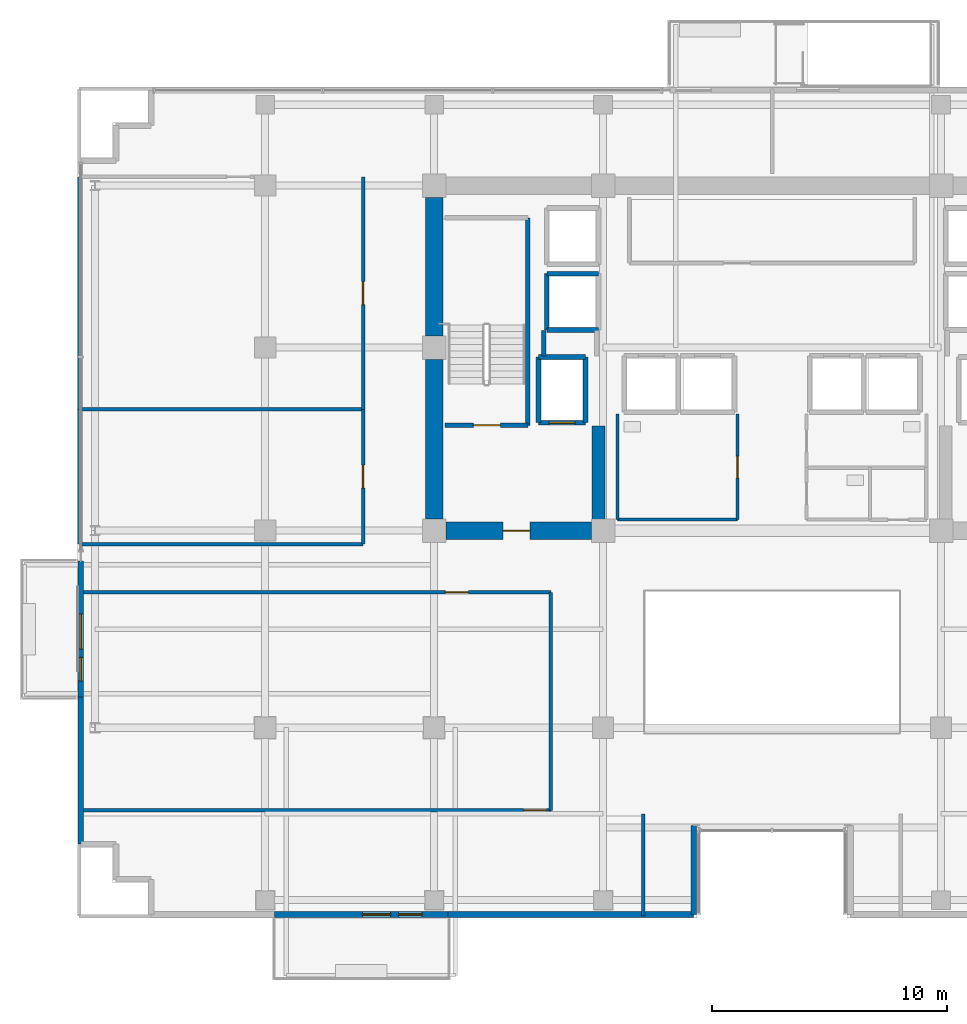
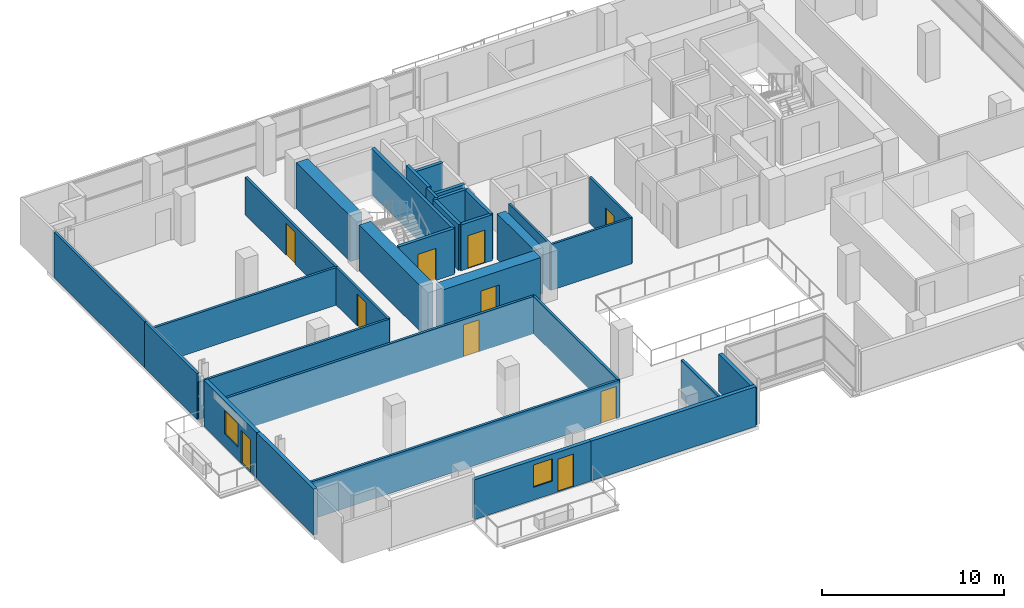
# One storey, part 20 of 28: 32 walls, 10 doors, 2 windows, 12 openings.
"""IFC4 building model written with IfcOpenShell, lengths in metres."""

from ifc_helpers import new_model, si_unit, direction, frame, frame_2d, origin, place, context, subcontext, project, spatial, rectangle, extrude, source, transform, mapped, material, layer, layer_set, type_object, element, fill, save


model = new_model("IFC4")

# Units and contexts
model_context = context("Model", 3, precision=1e-05, world=origin(), true_north=direction((0.0, 1.0)))
body_context = subcontext(model_context, "Body", "Model", "MODEL_VIEW")
ifc_project = project(units=[si_unit("LENGTHUNIT", "METRE"), si_unit("AREAUNIT", "SQUARE_METRE"), si_unit("VOLUMEUNIT", "CUBIC_METRE"), si_unit("PLANEANGLEUNIT", "RADIAN"), si_unit("MASSUNIT", "GRAM", prefix="KILO")], contexts=[model_context])

# Site, building, storey
site_placement = place(None, origin())
site = spatial("IfcSite", under=ifc_project, at=site_placement, CompositionType="ELEMENT")
building_placement = place(site_placement, origin())
building = spatial("IfcBuilding", under=site, at=building_placement, Name="Zarnakvel Exchange Tower", CompositionType="ELEMENT")
storey_placement = place(building_placement, frame((0.0, 0.0, 90.10009765625)))
storey = spatial("IfcBuildingStorey", under=building, at=storey_placement, Name="L24", CompositionType="ELEMENT", Elevation=90.10009765625)

# Walls
ifc_material_1 = material(Name="Concrete C60/75", Category="concrete")
ifc_layer_1 = layer(ifc_material_1, 0.75)
ifc_layer_set_1 = layer_set([ifc_layer_1], Name="Concrete C60/75")
wall_type_1 = type_object("IfcWallType", Name="CW-C3", PredefinedType="SHEAR", material=ifc_layer_set_1)
wall_1_placement = place(storey_placement, frame((-14.39990234375, -0.699951171875, 0.0), z_axis=(0.0, 0.0, 1.0), x_axis=(0.0, 1.0, 0.0)))
element("IfcWall", 1, at=wall_1_placement, inside=storey, type_object=wall_type_1, Name="L24 Rear Core Shear Wall W1 (CW-C3)", PredefinedType="SHEAR", context=body_context, shape_type="SweptSolid", body=[
    extrude(rectangle(XDim=6.800048828125, YDim=0.75, at=frame_2d((3.39990234375, 0.0))), origin(), (0.0, 0.0, 1.0), 3.074951171875),
])
wall_2_placement = place(storey_placement, frame((-14.39990234375, 7.10009765625, 0.0), z_axis=(0.0, 0.0, 1.0), x_axis=(0.0, 1.0, 0.0)))
element("IfcWall", 2, at=wall_2_placement, inside=storey, type_object=wall_type_1, Name="L24 Rear Core Shear Wall W2 (CW-C3)", PredefinedType="SHEAR", context=body_context, shape_type="SweptSolid", body=[
    extrude(rectangle(XDim=5.89990234375, YDim=0.75, at=frame_2d((2.949951171875, 0.0))), origin(), (0.0, 0.0, 1.0), 3.074951171875),
])

# Wall, opening, door
wall_3_placement = place(storey_placement, frame((-7.699951171875, -1.199951171875, 0.0), z_axis=(0.0, 0.0, 1.0), x_axis=(-1.0, 0.0, 0.0)))
wall_3 = element("IfcWall", 3, at=wall_3_placement, inside=storey, type_object=wall_type_1, Name="L24 Rear Core Shear Wall SW (CW-C3)", PredefinedType="SHEAR", context=body_context, shape_type="SweptSolid", body=[
    extrude(rectangle(XDim=6.199951171875, YDim=0.75, at=frame_2d((3.10009765625, 0.0))), origin(), (0.0, 0.0, 1.0), 3.074951171875),
])
opening_1_placement = place(wall_3_placement, frame((2.625, 0.0, 0.0)))
opening_1 = element("IfcOpeningElement", 4, at=opening_1_placement, cuts=wall_3, Name="Opening D-L24-03", PredefinedType="OPENING", context=body_context, shape_type="SweptSolid", body=[
    extrude(rectangle(XDim=1.14990234375, YDim=2.14990234375, at=frame_2d((0.574951171875, 1.074951171875))), frame((0.0, 0.385009765625, 0.0), z_axis=(0.0, -1.0, 0.0), x_axis=(1.0, 0.0, 0.0)), (0.0, 0.0, 1.0), 0.77001953125),
])
ifc_material_2 = material(Name="Painted Galvanised Steel S355", Category="steel")
door_type_1 = type_object("IfcDoorType", Name="DT-04", OperationType="NOTDEFINED", PredefinedType="DOOR", material=ifc_material_2)
shared_shape_1 = source(origin(), body_context, "Body", "SweptSolid", [
    extrude(rectangle(XDim=1.14990234375, YDim=2.14990234375, at=frame_2d((0.574951171875, 1.074951171875))), frame((0.0, 0.02490234375, 0.0), z_axis=(0.0, -1.0, 0.0), x_axis=(1.0, 0.0, 0.0)), (0.0, 0.0, 1.0), 0.050048828125),
])
door_1_placement = place(opening_1_placement, origin())
door_1 = element("IfcDoor", 5, at=door_1_placement, inside=storey, type_object=door_type_1, Name="L24 Firefighting Lobby West Door D-L24-03", OperationType="SINGLE_SWING_LEFT", OverallHeight=2.14990234375, OverallWidth=1.14990234375, PredefinedType="DOOR", context=body_context, shape_type="MappedRepresentation", body=[
    mapped(shared_shape_1, transform((0.0, 0.0, 0.0), x_axis=(1.0, 0.0, 0.0), y_axis=(0.0, 1.0, 0.0), z_axis=(0.0, 0.0, 1.0), scale=1.0)),
])
fill(opening_1, door_1)

# Wall
ifc_layer_2 = layer(ifc_material_1, 0.550048828125)
ifc_layer_set_2 = layer_set([ifc_layer_2], Name="Concrete C60/75")
wall_type_2 = type_object("IfcWallType", Name="CW-C4", PredefinedType="SHEAR", material=ifc_layer_set_2)
wall_4_placement = place(storey_placement, frame((-7.39990234375, -0.824951171875, 0.0), z_axis=(0.0, 0.0, 1.0), x_axis=(0.0, 1.0, 0.0)))
element("IfcWall", 6, at=wall_4_placement, inside=storey, type_object=wall_type_2, Name="L24 Rear Core Shear Wall IW (CW-C4)", PredefinedType="SHEAR", context=body_context, shape_type="SweptSolid", body=[
    extrude(rectangle(XDim=4.074951171875, YDim=0.550048828125, at=frame_2d((2.03759765625, 0.0))), origin(), (0.0, 0.0, 1.0), 3.074951171875),
])

# Wall, openings, door, window
ifc_material_3 = material(Name="Precast concrete C40/50", Category="concrete")
ifc_layer_3 = layer(ifc_material_3, 0.239990234375)
ifc_layer_set_3 = layer_set([ifc_layer_3], Name="Precast concrete C40/50")
wall_type_3 = type_object("IfcWallType", Name="EW-02", PredefinedType="SOLIDWALL", material=ifc_layer_set_3)
wall_5_placement = place(storey_placement, frame((-13.800048828125, -17.56005859375, 0.0), z_axis=(0.0, 0.0, 1.0), x_axis=(-1.0, 0.0, 0.0)))
wall_5 = element("IfcWall", 7, at=wall_5_placement, inside=storey, type_object=wall_type_3, Name="L24 Exterior Precast Spandrel Wall EW-BAL-L24-SW (EW-02)", PredefinedType="SOLIDWALL", context=body_context, shape_type="SweptSolid", body=[
    extrude(rectangle(XDim=7.39990234375, YDim=0.239990234375, at=frame_2d((3.699951171875, 0.0))), origin(), (0.0, 0.0, 1.0), 2.664794921875),
])
opening_2_placement = place(wall_5_placement, frame((1.110107421875, 0.0, 0.0)))
opening_2 = element("IfcOpeningElement", 8, at=opening_2_placement, cuts=wall_5, Name="Opening BD-L24-01", PredefinedType="OPENING", context=body_context, shape_type="SweptSolid", body=[
    extrude(rectangle(XDim=1.0, YDim=2.199951171875, at=frame_2d((0.5, 1.10009765625))), frame((0.0, 0.1298828125, 0.0), z_axis=(0.0, -1.0, 0.0), x_axis=(1.0, 0.0, 0.0)), (0.0, 0.0, 1.0), 0.260009765625),
])
opening_3_placement = place(wall_5_placement, frame((2.4599609375, 0.0, 0.85009765625)))
opening_3 = element("IfcOpeningElement", 9, at=opening_3_placement, cuts=wall_5, Name="Opening WN-04", PredefinedType="OPENING", context=body_context, shape_type="SweptSolid", body=[
    extrude(rectangle(XDim=1.199951171875, YDim=1.5, at=frame_2d((0.60009765625, 0.75))), frame((0.0, 0.1298828125, 0.0), z_axis=(0.0, -1.0, 0.0), x_axis=(1.0, 0.0, 0.0)), (0.0, 0.0, 1.0), 0.260009765625),
])
ifc_material_4 = material(Name="Architectural Bronze Anodised Aluminium", Category="aluminium")
door_type_2 = type_object("IfcDoorType", Name="DT-09", OperationType="NOTDEFINED", PredefinedType="DOOR", material=ifc_material_4)
shared_shape_2 = source(origin(), body_context, "Body", "SweptSolid", [
    extrude(rectangle(XDim=1.0, YDim=2.199951171875, at=frame_2d((0.5, 1.10009765625))), frame((0.0, 0.02490234375, 0.0), z_axis=(0.0, -1.0, 0.0), x_axis=(1.0, 0.0, 0.0)), (0.0, 0.0, 1.0), 0.050048828125),
])
door_2_placement = place(opening_2_placement, origin())
door_2 = element("IfcDoor", 10, at=door_2_placement, inside=storey, type_object=door_type_2, Name="L24 Planted Loggia Balcony Door BD-L24-01", OperationType="SINGLE_SWING_RIGHT", OverallHeight=2.199951171875, OverallWidth=1.0, PredefinedType="DOOR", context=body_context, shape_type="MappedRepresentation", body=[
    mapped(shared_shape_2, transform((0.0, 0.0, 0.0), x_axis=(1.0, 0.0, 0.0), y_axis=(0.0, 1.0, 0.0), z_axis=(0.0, 0.0, 1.0), scale=1.0)),
])
fill(opening_2, door_2)
ifc_material_5 = material(Name="Double Low-E Laminated Vision Glass", Category="glass")
window_type_1 = type_object("IfcWindowType", Name="WN-04", PartitioningType="SINGLE_PANEL", PredefinedType="WINDOW", material=ifc_material_5)
shared_shape_3 = source(origin(), body_context, "Body", "SweptSolid", [
    extrude(rectangle(XDim=1.199951171875, YDim=1.5, at=frame_2d((0.60009765625, 0.75))), frame((0.0, 0.030029296875, 0.0), z_axis=(0.0, -1.0, 0.0), x_axis=(1.0, 0.0, 0.0)), (0.0, 0.0, 1.0), 0.06005859375),
])
window_1_placement = place(opening_3_placement, origin())
window_1 = element("IfcWindow", 11, at=window_1_placement, inside=storey, type_object=window_type_1, Name="L24 Loggia Daylight Window (WN-04)", OverallHeight=1.5, OverallWidth=1.199951171875, PartitioningType="SINGLE_PANEL", PredefinedType="WINDOW", context=body_context, shape_type="MappedRepresentation", body=[
    mapped(shared_shape_3, transform((0.0, 0.0, 0.0), x_axis=(1.0, 0.0, 0.0), y_axis=(0.0, 1.0, 0.0), z_axis=(0.0, 0.0, 1.0), scale=1.0)),
])
fill(opening_3, window_1)

wall_6_placement = place(storey_placement, frame((-29.4599609375, -8.300048828125, 0.0), z_axis=(0.0, 0.0, 1.0), x_axis=(0.0, 1.0, 0.0)))
wall_6 = element("IfcWall", 12, at=wall_6_placement, inside=storey, type_object=wall_type_3, Name="L24 Exterior Precast Spandrel Wall EW-BAL-L24-W (EW-02)", PredefinedType="SOLIDWALL", context=body_context, shape_type="SweptSolid", body=[
    extrude(rectangle(XDim=5.800048828125, YDim=0.239990234375, at=frame_2d((2.89990234375, 0.0))), origin(), (0.0, 0.0, 1.0), 3.074951171875),
])
opening_4_placement = place(wall_6_placement, frame((0.696044921875, 0.0, 0.0)))
opening_4 = element("IfcOpeningElement", 13, at=opening_4_placement, cuts=wall_6, Name="Opening BD-L24-03", PredefinedType="OPENING", context=body_context, shape_type="SweptSolid", body=[
    extrude(rectangle(XDim=1.0, YDim=2.199951171875, at=frame_2d((0.5, 1.10009765625))), frame((0.0, 0.1298828125, 0.0), z_axis=(0.0, -1.0, 0.0), x_axis=(1.0, 0.0, 0.0)), (0.0, 0.0, 1.0), 0.260009765625),
])
opening_5_placement = place(wall_6_placement, frame((2.0458984375, 0.0, 0.85009765625)))
opening_5 = element("IfcOpeningElement", 14, at=opening_5_placement, cuts=wall_6, Name="Opening WN-03", PredefinedType="OPENING", context=body_context, shape_type="SweptSolid", body=[
    extrude(rectangle(XDim=1.5, YDim=1.60009765625, at=frame_2d((0.75, 0.800048828125))), frame((0.0, 0.1298828125, 0.0), z_axis=(0.0, -1.0, 0.0), x_axis=(1.0, 0.0, 0.0)), (0.0, 0.0, 1.0), 0.260009765625),
])
door_3_placement = place(opening_4_placement, origin())
door_3 = element("IfcDoor", 15, at=door_3_placement, inside=storey, type_object=door_type_2, Name="L24 Planted Loggia Balcony Door BD-L24-03", OperationType="SINGLE_SWING_RIGHT", OverallHeight=2.199951171875, OverallWidth=1.0, PredefinedType="DOOR", context=body_context, shape_type="MappedRepresentation", body=[
    mapped(shared_shape_2, transform((0.0, 0.0, 0.0), x_axis=(1.0, 0.0, 0.0), y_axis=(0.0, 1.0, 0.0), z_axis=(0.0, 0.0, 1.0), scale=1.0)),
])
fill(opening_4, door_3)
window_type_2 = type_object("IfcWindowType", Name="WN-03", PartitioningType="SINGLE_PANEL", PredefinedType="WINDOW", material=ifc_material_5)
shared_shape_4 = source(origin(), body_context, "Body", "SweptSolid", [
    extrude(rectangle(XDim=1.5, YDim=1.60009765625, at=frame_2d((0.75, 0.800048828125))), frame((0.0, 0.030029296875, 0.0), z_axis=(0.0, -1.0, 0.0), x_axis=(1.0, 0.0, 0.0)), (0.0, 0.0, 1.0), 0.06005859375),
])
window_2_placement = place(opening_5_placement, origin())
window_2 = element("IfcWindow", 16, at=window_2_placement, inside=storey, type_object=window_type_2, Name="L24 Loggia Daylight Window (WN-03)", OverallHeight=1.60009765625, OverallWidth=1.5, PartitioningType="SINGLE_PANEL", PredefinedType="WINDOW", context=body_context, shape_type="MappedRepresentation", body=[
    mapped(shared_shape_4, transform((0.0, 0.0, 0.0), x_axis=(1.0, 0.0, 0.0), y_axis=(0.0, 1.0, 0.0), z_axis=(0.0, 0.0, 1.0), scale=1.0)),
])
fill(opening_5, window_2)

# Walls
wall_7_placement = place(storey_placement, frame((-29.4599609375, -8.300048828125, 0.0), z_axis=(0.0, 0.0, 1.0), x_axis=(0.0, -1.0, 0.0)))
element("IfcWall", 17, at=wall_7_placement, inside=storey, type_object=wall_type_3, Name="L24 Exterior Precast Spandrel Wall EWC-L24-01 (EW-02)", PredefinedType="SOLIDWALL", context=body_context, shape_type="SweptSolid", body=[
    extrude(rectangle(XDim=6.260009765625, YDim=0.239990234375, at=frame_2d((3.1298828125, 0.0))), origin(), (0.0, 0.0, 1.0), 3.074951171875),
])
wall_8_placement = place(storey_placement, frame((-3.340087890625, -17.56005859375, 0.0), z_axis=(0.0, 0.0, 1.0), x_axis=(0.0, 1.0, 0.0)))
element("IfcWall", 18, at=wall_8_placement, inside=storey, type_object=wall_type_3, Name="L24 Exterior Precast Spandrel Wall EWC-L24-22 (EW-02)", PredefinedType="SOLIDWALL", context=body_context, shape_type="SweptSolid", body=[
    extrude(rectangle(XDim=3.800048828125, YDim=0.239990234375, at=frame_2d((1.89990234375, 0.0))), origin(), (0.0, 0.0, 1.0), 2.514892578125),
])
wall_9_placement = place(storey_placement, frame((-13.800048828125, -17.56005859375, 0.0), z_axis=(0.0, 0.0, 1.0), x_axis=(1.0, 0.0, 0.0)))
element("IfcWall", 19, at=wall_9_placement, inside=storey, type_object=wall_type_3, Name="L24 Exterior Precast Spandrel Wall EWC-L24-23 (EW-02)", PredefinedType="SOLIDWALL", context=body_context, shape_type="SweptSolid", body=[
    extrude(rectangle(XDim=10.4599609375, YDim=0.239990234375, at=frame_2d((5.22998046875, 0.0))), origin(), (0.0, 0.0, 1.0), 2.664794921875),
])

# Wall, opening, door
ifc_material_6 = material(Name="Fire-Rated Gypsum Stud Partition", Category="gypsum")
ifc_layer_4 = layer(ifc_material_6, 0.14990234375)
ifc_layer_set_4 = layer_set([ifc_layer_4], Name="Fire-Rated Gypsum Stud Partition")
wall_type_4 = type_object("IfcWallType", Name="PT-01", PredefinedType="PARTITIONING", material=ifc_layer_set_4)
wall_10_placement = place(storey_placement, frame((-9.429931640625, -13.1201171875, 0.0), z_axis=(0.0, 0.0, 1.0), x_axis=(-1.0, 0.0, 0.0)))
wall_10 = element("IfcWall", 20, at=wall_10_placement, inside=storey, type_object=wall_type_4, Name="L24 Partition Wall PWALL-L24-025 (PT-01)", PredefinedType="PARTITIONING", context=body_context, shape_type="SweptSolid", body=[
    extrude(rectangle(XDim=20.10009765625, YDim=0.14990234375, at=frame_2d((10.050048828125, 0.0))), origin(), (0.0, 0.0, 1.0), 2.514892578125),
])
opening_6_placement = place(wall_10_placement, frame((0.179931640625, 0.0, 0.0)))
opening_6 = element("IfcOpeningElement", 21, at=opening_6_placement, cuts=wall_10, Name="Opening D-L24-11", PredefinedType="OPENING", context=body_context, shape_type="SweptSolid", body=[
    extrude(rectangle(XDim=0.97998046875, YDim=2.14990234375, at=frame_2d((0.489990234375, 1.074951171875))), frame((0.0, 0.0849609375, 0.0), z_axis=(0.0, -1.0, 0.0), x_axis=(1.0, 0.0, 0.0)), (0.0, 0.0, 1.0), 0.169921875),
])
ifc_material_7 = material(Name="Timber Acoustic Veneer", Category="wood")
door_type_3 = type_object("IfcDoorType", Name="DT-05", OperationType="NOTDEFINED", PredefinedType="DOOR", material=ifc_material_7)
shared_shape_5 = source(origin(), body_context, "Body", "SweptSolid", [
    extrude(rectangle(XDim=0.97998046875, YDim=2.14990234375, at=frame_2d((0.489990234375, 1.074951171875))), frame((0.0, 0.02490234375, 0.0), z_axis=(0.0, -1.0, 0.0), x_axis=(1.0, 0.0, 0.0)), (0.0, 0.0, 1.0), 0.050048828125),
])
door_4_placement = place(opening_6_placement, origin())
door_4 = element("IfcDoor", 22, at=door_4_placement, inside=storey, type_object=door_type_3, Name="L24 Electronic Trading Hall Door D-L24-11", OperationType="SINGLE_SWING_LEFT", OverallHeight=2.14990234375, OverallWidth=0.97998046875, PredefinedType="DOOR", context=body_context, shape_type="MappedRepresentation", body=[
    mapped(shared_shape_5, transform((0.0, 0.0, 0.0), x_axis=(1.0, 0.0, 0.0), y_axis=(0.0, 1.0, 0.0), z_axis=(0.0, 0.0, 1.0), scale=1.0)),
])
fill(opening_6, door_4)

wall_11_placement = place(storey_placement, frame((-29.530029296875, -3.830078125, 0.0), z_axis=(0.0, 0.0, 1.0), x_axis=(1.0, 0.0, 0.0)))
wall_11 = element("IfcWall", 23, at=wall_11_placement, inside=storey, type_object=wall_type_4, Name="L24 Partition Wall PWALL-L24-026 (PT-01)", PredefinedType="PARTITIONING", context=body_context, shape_type="SweptSolid", body=[
    extrude(rectangle(XDim=20.10009765625, YDim=0.14990234375, at=frame_2d((10.050048828125, 0.0))), origin(), (0.0, 0.0, 1.0), 2.514892578125),
])
opening_7_placement = place(wall_11_placement, frame((15.610107421875, 0.0, 0.0)))
opening_7 = element("IfcOpeningElement", 24, at=opening_7_placement, cuts=wall_11, Name="Opening D-L24-10", PredefinedType="OPENING", context=body_context, shape_type="SweptSolid", body=[
    extrude(rectangle(XDim=0.97998046875, YDim=2.14990234375, at=frame_2d((0.489990234375, 1.074951171875))), frame((0.0, 0.0849609375, 0.0), z_axis=(0.0, -1.0, 0.0), x_axis=(1.0, 0.0, 0.0)), (0.0, 0.0, 1.0), 0.169921875),
])
door_5_placement = place(opening_7_placement, origin())
door_5 = element("IfcDoor", 25, at=door_5_placement, inside=storey, type_object=door_type_3, Name="L24 Electronic Trading Hall Door D-L24-10", OperationType="SINGLE_SWING_RIGHT", OverallHeight=2.14990234375, OverallWidth=0.97998046875, PredefinedType="DOOR", context=body_context, shape_type="MappedRepresentation", body=[
    mapped(shared_shape_5, transform((0.0, 0.0, 0.0), x_axis=(1.0, 0.0, 0.0), y_axis=(0.0, 1.0, 0.0), z_axis=(0.0, 0.0, 1.0), scale=1.0)),
])
fill(opening_7, door_5)

# Walls
wall_12_placement = place(storey_placement, frame((-9.429931640625, -3.830078125, 0.0), z_axis=(0.0, 0.0, 1.0), x_axis=(0.0, -1.0, 0.0)))
element("IfcWall", 26, at=wall_12_placement, inside=storey, type_object=wall_type_4, Name="L24 Partition Wall PWALL-L24-028 (PT-01)", PredefinedType="PARTITIONING", context=body_context, shape_type="SweptSolid", body=[
    extrude(rectangle(XDim=9.2900390625, YDim=0.14990234375, at=frame_2d((4.64501953125, 0.0))), origin(), (0.0, 0.0, 1.0), 2.514892578125),
])
wall_13_placement = place(storey_placement, frame((-5.47998046875, -13.280029296875, 0.0), z_axis=(0.0, 0.0, 1.0), x_axis=(0.0, -1.0, 0.0)))
element("IfcWall", 27, at=wall_13_placement, inside=storey, type_object=wall_type_4, Name="L24 Partition Wall PWALL-L24-031 (PT-01)", PredefinedType="PARTITIONING", context=body_context, shape_type="SweptSolid", body=[
    extrude(rectangle(XDim=4.349853515625, YDim=0.14990234375, at=frame_2d((2.1748046875, 0.0))), origin(), (0.0, 0.0, 1.0), 2.56494140625),
])
for number, where, z_axis, x_axis, name in (
    (28, (-17.429931640625, -1.77001953125, 0.0), (0.0, 0.0, 1.0), (-1.0, 0.0, 0.0), "L24 Partition Wall PWALL-L24-042 (PT-01)"),
    (29, (-29.530029296875, 3.964599609375, 0.0), (0.0, 0.0, 1.0), (1.0, 0.0, 0.0), "L24 Partition Wall PWALL-L24-043 (PT-01)"),
):
    element("IfcWall", number, at=place(storey_placement, frame(where, z_axis=z_axis, x_axis=x_axis)), inside=storey, type_object=wall_type_4, Name=name, PredefinedType="PARTITIONING", context=body_context, shape_type="SweptSolid", body=[
        extrude(rectangle(XDim=12.10009765625, YDim=0.14990234375, at=frame_2d((6.050048828125, 0.0))), origin(), (0.0, 0.0, 1.0), 2.514892578125),
    ])
wall_14_placement = place(storey_placement, frame((-29.530029296875, -1.77001953125, 0.0), z_axis=(0.0, 0.0, 1.0), x_axis=(0.0, 1.0, 0.0)))
element("IfcWall", 30, at=wall_14_placement, inside=storey, type_object=wall_type_4, Name="L24 Partition Wall PWALL-L24-044 (PT-01)", PredefinedType="PARTITIONING", context=body_context, shape_type="SweptSolid", body=[
    extrude(rectangle(XDim=5.734619140625, YDim=0.14990234375, at=frame_2d((2.8671875, 0.0))), origin(), (0.0, 0.0, 1.0), 3.074951171875),
])

# Wall, opening, door
wall_15_placement = place(storey_placement, frame((-17.429931640625, 3.964599609375, 0.0), z_axis=(0.0, 0.0, 1.0), x_axis=(0.0, -1.0, 0.0)))
wall_15 = element("IfcWall", 31, at=wall_15_placement, inside=storey, type_object=wall_type_4, Name="L24 Partition Wall PWALL-L24-045 (PT-01)", PredefinedType="PARTITIONING", context=body_context, shape_type="SweptSolid", body=[
    extrude(rectangle(XDim=5.734619140625, YDim=0.14990234375, at=frame_2d((2.8671875, 0.0))), origin(), (0.0, 0.0, 1.0), 2.514892578125),
])
opening_8_placement = place(wall_15_placement, frame((2.37744140625, 0.0, 0.0)))
opening_8 = element("IfcOpeningElement", 32, at=opening_8_placement, cuts=wall_15, Name="Opening D-L24-15", PredefinedType="OPENING", context=body_context, shape_type="SweptSolid", body=[
    extrude(rectangle(XDim=0.97998046875, YDim=2.14990234375, at=frame_2d((0.489990234375, 1.074951171875))), frame((0.0, 0.0849609375, 0.0), z_axis=(0.0, -1.0, 0.0), x_axis=(1.0, 0.0, 0.0)), (0.0, 0.0, 1.0), 0.169921875),
])
door_6_placement = place(opening_8_placement, origin())
door_6 = element("IfcDoor", 33, at=door_6_placement, inside=storey, type_object=door_type_3, Name="L24 Boardroom Door D-L24-15", OperationType="SINGLE_SWING_LEFT", OverallHeight=2.14990234375, OverallWidth=0.97998046875, PredefinedType="DOOR", context=body_context, shape_type="MappedRepresentation", body=[
    mapped(shared_shape_5, transform((0.0, 0.0, 0.0), x_axis=(1.0, 0.0, 0.0), y_axis=(0.0, 1.0, 0.0), z_axis=(0.0, 0.0, 1.0), scale=1.0)),
])
fill(opening_8, door_6)

# Wall
wall_16_placement = place(storey_placement, frame((-29.530029296875, 3.964599609375, 0.0), z_axis=(0.0, 0.0, 1.0), x_axis=(0.0, 1.0, 0.0)))
element("IfcWall", 34, at=wall_16_placement, inside=storey, type_object=wall_type_4, Name="L24 Partition Wall PWALL-L24-047 (PT-01)", PredefinedType="PARTITIONING", context=body_context, shape_type="SweptSolid", body=[
    extrude(rectangle(XDim=9.915283203125, YDim=0.14990234375, at=frame_2d((4.95751953125, 0.0))), origin(), (0.0, 0.0, 1.0), 3.074951171875),
])

# Wall, opening, door
wall_17_placement = place(storey_placement, frame((-17.429931640625, 13.8798828125, 0.0), z_axis=(0.0, 0.0, 1.0), x_axis=(0.0, -1.0, 0.0)))
wall_17 = element("IfcWall", 35, at=wall_17_placement, inside=storey, type_object=wall_type_4, Name="L24 Partition Wall PWALL-L24-048 (PT-01)", PredefinedType="PARTITIONING", context=body_context, shape_type="SweptSolid", body=[
    extrude(rectangle(XDim=9.915283203125, YDim=0.14990234375, at=frame_2d((4.95751953125, 0.0))), origin(), (0.0, 0.0, 1.0), 2.514892578125),
])
opening_9_placement = place(wall_17_placement, frame((4.468017578125, 0.0, 0.0)))
opening_9 = element("IfcOpeningElement", 36, at=opening_9_placement, cuts=wall_17, Name="Opening D-L24-16", PredefinedType="OPENING", context=body_context, shape_type="SweptSolid", body=[
    extrude(rectangle(XDim=0.97998046875, YDim=2.14990234375, at=frame_2d((0.489990234375, 1.074951171875))), frame((0.0, 0.0849609375, 0.0), z_axis=(0.0, -1.0, 0.0), x_axis=(1.0, 0.0, 0.0)), (0.0, 0.0, 1.0), 0.169921875),
])
door_7_placement = place(opening_9_placement, origin())
door_7 = element("IfcDoor", 37, at=door_7_placement, inside=storey, type_object=door_type_3, Name="L24 Staff Pantry Door D-L24-16", OperationType="SINGLE_SWING_RIGHT", OverallHeight=2.14990234375, OverallWidth=0.97998046875, PredefinedType="DOOR", context=body_context, shape_type="MappedRepresentation", body=[
    mapped(shared_shape_5, transform((0.0, 0.0, 0.0), x_axis=(1.0, 0.0, 0.0), y_axis=(0.0, 1.0, 0.0), z_axis=(0.0, 0.0, 1.0), scale=1.0)),
])
fill(opening_9, door_7)

# Walls
ifc_layer_5 = layer(ifc_material_6, 0.179931640625)
ifc_layer_set_5 = layer_set([ifc_layer_5], Name="Fire-Rated Gypsum Stud Partition")
wall_type_5 = type_object("IfcWallType", Name="PT-02", PredefinedType="PARTITIONING", material=ifc_layer_set_5)
wall_18_placement = place(storey_placement, frame((-9.72998046875, 6.239990234375, 0.0), z_axis=(0.0, 0.0, 1.0), x_axis=(0.0, 1.0, 0.0)))
element("IfcWall", 38, at=wall_18_placement, inside=storey, type_object=wall_type_5, Name="L24 Partition Wall PWALL-L24-007 (PT-02)", PredefinedType="PARTITIONING", context=body_context, shape_type="SweptSolid", body=[
    extrude(rectangle(XDim=1.090087890625, YDim=0.179931640625, at=frame_2d((0.544921875, 0.0))), origin(), (0.0, 0.0, 1.0), 3.074951171875),
])
ifc_material_8 = material(Name="Moisture-Resistant Tile-Faced Partition", Category="gypsum")
ifc_layer_6 = layer(ifc_material_8, 0.135009765625)
ifc_layer_set_6 = layer_set([ifc_layer_6], Name="Moisture-Resistant Tile-Faced Partition")
wall_type_6 = type_object("IfcWallType", Name="PT-03", PredefinedType="PARTITIONING", material=ifc_layer_set_6)
wall_19_placement = place(storey_placement, frame((-1.469970703125, -0.72998046875, 0.0), z_axis=(0.0, 0.0, 1.0), x_axis=(-1.0, 0.0, 0.0)))
element("IfcWall", 39, at=wall_19_placement, inside=storey, type_object=wall_type_6, Name="L24 Partition Wall PWALL-L24-014 (PT-03)", PredefinedType="PARTITIONING", context=body_context, shape_type="SweptSolid", body=[
    extrude(rectangle(XDim=5.110107421875, YDim=0.135009765625, at=frame_2d((2.55517578125, 0.0))), origin(), (0.0, 0.0, 1.0), 3.074951171875),
])
wall_20_placement = place(storey_placement, frame((-6.580078125, -0.72998046875, 0.0), z_axis=(0.0, 0.0, 1.0), x_axis=(0.0, 1.0, 0.0)))
element("IfcWall", 40, at=wall_20_placement, inside=storey, type_object=wall_type_6, Name="L24 Partition Wall PWALL-L24-015 (PT-03)", PredefinedType="PARTITIONING", context=body_context, shape_type="SweptSolid", body=[
    extrude(rectangle(XDim=4.489990234375, YDim=0.135009765625, at=frame_2d((2.2451171875, 0.0))), origin(), (0.0, 0.0, 1.0), 3.074951171875),
])

# Wall, opening, door
wall_21_placement = place(storey_placement, frame((-1.469970703125, 3.760009765625, 0.0), z_axis=(0.0, 0.0, 1.0), x_axis=(0.0, -1.0, 0.0)))
wall_21 = element("IfcWall", 41, at=wall_21_placement, inside=storey, type_object=wall_type_6, Name="L24 Partition Wall PWALL-L24-016 (PT-03)", PredefinedType="PARTITIONING", context=body_context, shape_type="SweptSolid", body=[
    extrude(rectangle(XDim=4.489990234375, YDim=0.135009765625, at=frame_2d((2.2451171875, 0.0))), origin(), (0.0, 0.0, 1.0), 3.074951171875),
])
opening_10_placement = place(wall_21_placement, frame((1.800048828125, 0.0, 0.0)))
opening_10 = element("IfcOpeningElement", 42, at=opening_10_placement, cuts=wall_21, Name="Opening D-L24-06", PredefinedType="OPENING", context=body_context, shape_type="SweptSolid", body=[
    extrude(rectangle(XDim=0.919921875, YDim=2.10009765625, at=frame_2d((0.4599609375, 1.050048828125))), frame((0.0, 0.077392578125, 0.0), z_axis=(0.0, -1.0, 0.0), x_axis=(1.0, 0.0, 0.0)), (0.0, 0.0, 1.0), 0.155029296875),
])
ifc_material_9 = material(Name="Moisture-Resistant Laminate Timber", Category="wood")
door_type_4 = type_object("IfcDoorType", Name="DT-07", OperationType="NOTDEFINED", PredefinedType="DOOR", material=ifc_material_9)
shared_shape_6 = source(origin(), body_context, "Body", "SweptSolid", [
    extrude(rectangle(XDim=0.919921875, YDim=2.10009765625, at=frame_2d((0.4599609375, 1.050048828125))), frame((0.0, 0.02490234375, 0.0), z_axis=(0.0, -1.0, 0.0), x_axis=(1.0, 0.0, 0.0)), (0.0, 0.0, 1.0), 0.050048828125),
])
door_8_placement = place(opening_10_placement, origin())
door_8 = element("IfcDoor", 43, at=door_8_placement, inside=storey, type_object=door_type_4, Name="L24 Male Toilet Door D-L24-06", OperationType="SINGLE_SWING_RIGHT", OverallHeight=2.10009765625, OverallWidth=0.919921875, PredefinedType="DOOR", context=body_context, shape_type="MappedRepresentation", body=[
    mapped(shared_shape_6, transform((0.0, 0.0, 0.0), x_axis=(1.0, 0.0, 0.0), y_axis=(0.0, 1.0, 0.0), z_axis=(0.0, 0.0, 1.0), scale=1.0)),
])
fill(opening_10, door_8)

ifc_material_10 = material(Name="Concrete C40/50", Category="concrete")
ifc_layer_7 = layer(ifc_material_10, 0.199951171875)
ifc_layer_set_7 = layer_set([ifc_layer_7], Name="Concrete C40/50")
wall_type_7 = type_object("IfcWallType", Name="SW-01", PredefinedType="SOLIDWALL", material=ifc_layer_set_7)
wall_22_placement = place(storey_placement, frame((-7.949951171875, 3.39990234375, 0.0), z_axis=(0.0, 0.0, 1.0), x_axis=(-1.0, 0.0, 0.0)))
wall_22 = element("IfcWall", 44, at=wall_22_placement, inside=storey, type_object=wall_type_7, Name="L24 FL-01 Hoistway Wall South", PredefinedType="SOLIDWALL", context=body_context, shape_type="SweptSolid", body=[
    extrude(rectangle(XDim=2.0, YDim=0.199951171875, at=frame_2d((1.0, 0.0))), origin(), (0.0, 0.0, 1.0), 3.074951171875),
])
opening_11_placement = place(wall_22_placement, frame((0.449951171875, 0.0, 0.0)))
opening_11 = element("IfcOpeningElement", 45, at=opening_11_placement, cuts=wall_22, Name="Opening LD-FL-01-L24", PredefinedType="OPENING", context=body_context, shape_type="SweptSolid", body=[
    extrude(rectangle(XDim=1.10009765625, YDim=2.199951171875, at=frame_2d((0.550048828125, 1.10009765625))), frame((0.0, 0.10986328125, 0.0), z_axis=(0.0, -1.0, 0.0), x_axis=(1.0, 0.0, 0.0)), (0.0, 0.0, 1.0), 0.219970703125),
])
ifc_material_11 = material(Name="Brushed Stainless Steel", Category="steel")
door_type_5 = type_object("IfcDoorType", Name="LDT-01", OperationType="NOTDEFINED", PredefinedType="DOOR", material=ifc_material_11)
shared_shape_7 = source(origin(), body_context, "Body", "SweptSolid", [
    extrude(rectangle(XDim=1.10009765625, YDim=2.199951171875, at=frame_2d((0.550048828125, 1.10009765625))), frame((0.0, 0.02490234375, 0.0), z_axis=(0.0, -1.0, 0.0), x_axis=(1.0, 0.0, 0.0)), (0.0, 0.0, 1.0), 0.050048828125),
])
door_9_placement = place(opening_11_placement, origin())
door_9 = element("IfcDoor", 46, at=door_9_placement, inside=storey, type_object=door_type_5, Name="L24 FL-01 Lift Landing Door LD-FL-01-L24", OperationType="DOUBLE_DOOR_SLIDING", OverallHeight=2.199951171875, OverallWidth=1.10009765625, PredefinedType="DOOR", context=body_context, shape_type="MappedRepresentation", body=[
    mapped(shared_shape_7, transform((0.0, 0.0, 0.0), x_axis=(1.0, 0.0, 0.0), y_axis=(0.0, 1.0, 0.0), z_axis=(0.0, 0.0, 1.0), scale=1.0)),
])
fill(opening_11, door_9)

# Walls
wall_23_placement = place(storey_placement, frame((-9.949951171875, 6.199951171875, 0.0), z_axis=(0.0, 0.0, 1.0), x_axis=(1.0, 0.0, 0.0)))
element("IfcWall", 47, at=wall_23_placement, inside=storey, type_object=wall_type_7, Name="L24 FL-01 Hoistway Wall North", PredefinedType="SOLIDWALL", context=body_context, shape_type="SweptSolid", body=[
    extrude(rectangle(XDim=2.0, YDim=0.199951171875, at=frame_2d((1.0, 0.0))), origin(), (0.0, 0.0, 1.0), 3.074951171875),
])
for number, where, z_axis, x_axis, name in (
    (48, (-9.949951171875, 3.39990234375, 0.0), (0.0, 0.0, 1.0), (0.0, 1.0, 0.0), "L24 FL-01 Hoistway Wall West"),
    (49, (-7.949951171875, 6.199951171875, 0.0), (0.0, 0.0, 1.0), (0.0, -1.0, 0.0), "L24 FL-01 Hoistway Wall East"),
):
    element("IfcWall", number, at=place(storey_placement, frame(where, z_axis=z_axis, x_axis=x_axis)), inside=storey, type_object=wall_type_7, Name=name, PredefinedType="SOLIDWALL", context=body_context, shape_type="SweptSolid", body=[
        extrude(rectangle(XDim=2.800048828125, YDim=0.199951171875, at=frame_2d((1.39990234375, 0.0))), origin(), (0.0, 0.0, 1.0), 3.074951171875),
    ])
for number, where, z_axis, x_axis, name in (
    (50, (-7.39990234375, 7.35009765625, 0.0), (0.0, 0.0, 1.0), (-1.0, 0.0, 0.0), "L24 PL-09 Hoistway Wall South"),
    (51, (-9.60009765625, 9.75, 0.0), (0.0, 0.0, 1.0), (1.0, 0.0, 0.0), "L24 PL-09 Hoistway Wall North"),
):
    element("IfcWall", number, at=place(storey_placement, frame(where, z_axis=z_axis, x_axis=x_axis)), inside=storey, type_object=wall_type_7, Name=name, PredefinedType="SOLIDWALL", context=body_context, shape_type="SweptSolid", body=[
        extrude(rectangle(XDim=2.2001953125, YDim=0.199951171875, at=frame_2d((1.10009765625, 0.0))), origin(), (0.0, 0.0, 1.0), 2.514892578125),
    ])
wall_24_placement = place(storey_placement, frame((-9.60009765625, 7.35009765625, 0.0), z_axis=(0.0, 0.0, 1.0), x_axis=(0.0, 1.0, 0.0)))
element("IfcWall", 52, at=wall_24_placement, inside=storey, type_object=wall_type_7, Name="L24 PL-09 Hoistway Wall West", PredefinedType="SOLIDWALL", context=body_context, shape_type="SweptSolid", body=[
    extrude(rectangle(XDim=2.39990234375, YDim=0.199951171875, at=frame_2d((1.199951171875, 0.0))), origin(), (0.0, 0.0, 1.0), 3.074951171875),
])

# Wall, opening, door
ifc_layer_8 = layer(ifc_material_10, 0.199951171875)
ifc_layer_set_8 = layer_set([ifc_layer_8], Name="Concrete C40/50")
wall_type_8 = type_object("IfcWallType", Name="SW-02", PredefinedType="SOLIDWALL", material=ifc_layer_set_8)
wall_25_placement = place(storey_placement, frame((-10.409912109375, 3.2900390625, 0.0), z_axis=(0.0, 0.0, 1.0), x_axis=(-1.0, 0.0, 0.0)))
wall_25 = element("IfcWall", 53, at=wall_25_placement, inside=storey, type_object=wall_type_8, Name="L24 Stairwell Core Wall PWALL-L24-001 (SW-02)", PredefinedType="SOLIDWALL", context=body_context, shape_type="SweptSolid", body=[
    extrude(rectangle(XDim=3.52001953125, YDim=0.199951171875, at=frame_2d((1.760009765625, 0.0))), origin(), (0.0, 0.0, 1.0), 3.074951171875),
])
opening_12_placement = place(wall_25_placement, frame((1.1650390625, 0.0, 0.0)))
opening_12 = element("IfcOpeningElement", 54, at=opening_12_placement, cuts=wall_25, Name="Opening D-L24-01", PredefinedType="OPENING", context=body_context, shape_type="SweptSolid", body=[
    extrude(rectangle(XDim=1.14990234375, YDim=2.14990234375, at=frame_2d((0.574951171875, 1.074951171875))), frame((0.0, 0.10986328125, 0.0), z_axis=(0.0, -1.0, 0.0), x_axis=(1.0, 0.0, 0.0)), (0.0, 0.0, 1.0), 0.219970703125),
])
door_10_placement = place(opening_12_placement, origin())
door_10 = element("IfcDoor", 55, at=door_10_placement, inside=storey, type_object=door_type_1, Name="L24 Stairwell ST-01 Door D-L24-01", OperationType="SINGLE_SWING_LEFT", OverallHeight=2.14990234375, OverallWidth=1.14990234375, PredefinedType="DOOR", context=body_context, shape_type="MappedRepresentation", body=[
    mapped(shared_shape_1, transform((0.0, 0.0, 0.0), x_axis=(1.0, 0.0, 0.0), y_axis=(0.0, 1.0, 0.0), z_axis=(0.0, 0.0, 1.0), scale=1.0)),
])
fill(opening_12, door_10)

# Wall
wall_26_placement = place(storey_placement, frame((-10.409912109375, 12.1298828125, 0.0), z_axis=(0.0, 0.0, 1.0), x_axis=(0.0, -1.0, 0.0)))
element("IfcWall", 56, at=wall_26_placement, inside=storey, type_object=wall_type_8, Name="L24 Stairwell Core Wall PWALL-L24-003 (SW-02)", PredefinedType="SOLIDWALL", context=body_context, shape_type="SweptSolid", body=[
    extrude(rectangle(XDim=8.83984375, YDim=0.199951171875, at=frame_2d((4.419921875, 0.0))), origin(), (0.0, 0.0, 1.0), 3.074951171875),
])

save(model, "model.ifc")
